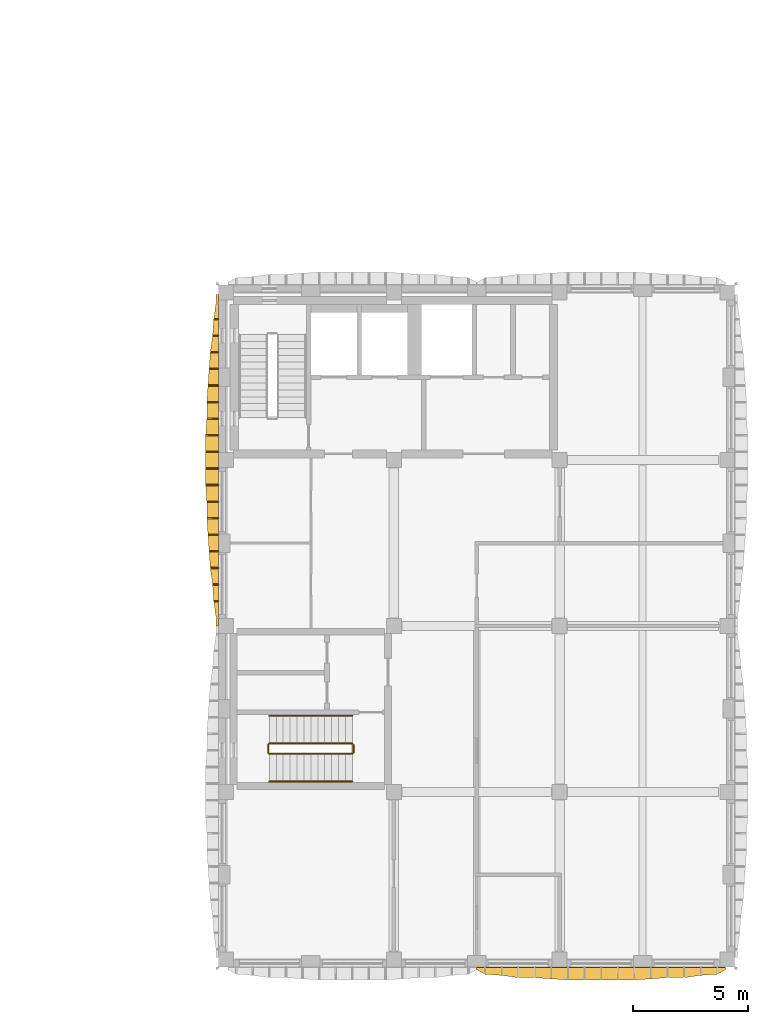
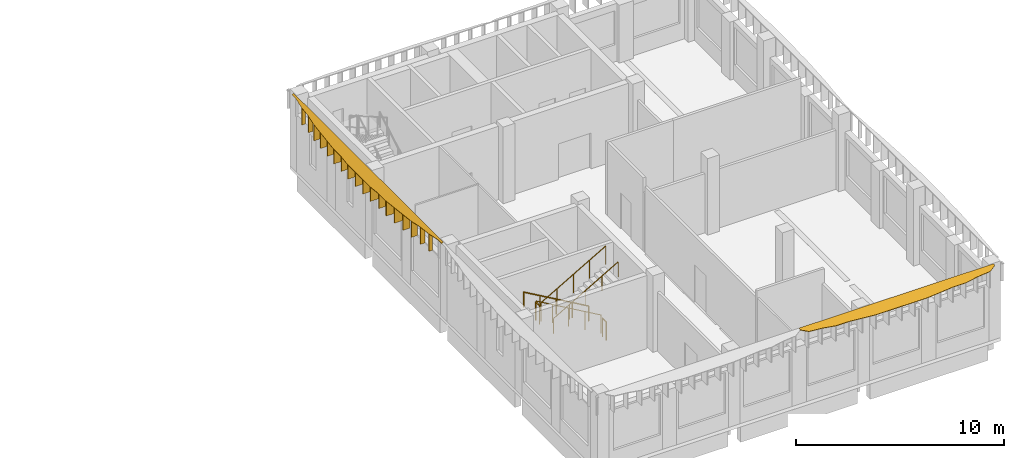
# One storey, part 24 of 30: 20 shading devices, 6 railings.
"""IFC4 building model written with IfcOpenShell, lengths in metres."""

from ifc_helpers import new_model, si_unit, direction, frame, origin, origin_2d, place, context, subcontext, project, spatial, polyline, circle, outline, extrude, material, layer, layer_set, type_object, element, save


model = new_model("IFC4")

# Units and contexts
model_context = context("Model", 3, precision=1e-05, world=origin(), true_north=direction((0.0, 1.0)))
body_context = subcontext(model_context, "Body", "Model", "MODEL_VIEW")
ifc_project = project(units=[si_unit("LENGTHUNIT", "METRE"), si_unit("AREAUNIT", "SQUARE_METRE"), si_unit("VOLUMEUNIT", "CUBIC_METRE"), si_unit("PLANEANGLEUNIT", "RADIAN"), si_unit("MASSUNIT", "GRAM", prefix="KILO")], contexts=[model_context])

# Site, building, storey
site_placement = place(None, origin())
site = spatial("IfcSite", under=ifc_project, at=site_placement, CompositionType="ELEMENT")
building_placement = place(site_placement, origin())
building = spatial("IfcBuilding", under=site, at=building_placement, Name="Ussher Court Research Institute", CompositionType="ELEMENT")
storey_placement = place(building_placement, frame((0.0, 0.0, 27.89990234375)))
storey = spatial("IfcBuildingStorey", under=building, at=storey_placement, Name="L06", CompositionType="ELEMENT", Elevation=27.89990234375)

# Shading devices
ifc_material_1 = material(Name="Bronze anodised aluminium", Category="aluminium")
ifc_layer_1 = layer(ifc_material_1, 0.050048828125)
ifc_layer_set_1 = layer_set([ifc_layer_1], Name="Bronze anodised aluminium")
shading_device_type_1 = type_object("IfcShadingDeviceType", Name="Brim blade 200 mm deep 1100 mm high canted 26 deg wet", PredefinedType="USERDEFINED", material=ifc_layer_set_1)
for number, where, z_axis, x_axis, name in (
    (1, (81.800048828125, 19.47998046875, 3.35009765625), (0.0, 0.0, 1.0), (-1.0, 0.0, 0.0), "Brim blade BS08 L06"),
    (2, (81.800048828125, 31.719970703125, 3.35009765625), (0.0, 0.0, 1.0), (-1.0, 0.0, 0.0), "Brim blade BS08 L06"),
):
    element("IfcShadingDevice", number, at=place(storey_placement, frame(where, z_axis=z_axis, x_axis=x_axis)), inside=storey, type_object=shading_device_type_1, Name=name, ObjectType="BLADE", PredefinedType="USERDEFINED", context=body_context, shape_type="SweptSolid", body=[
        extrude(outline(polyline([(0.0, 0.0), (0.199951171875, 0.0), (0.199951171875, 1.00244140625), (0.0, 1.10009765625), (0.0, 0.0)])), frame((0.0, 0.02490234375, 0.0), z_axis=(0.0, -1.0, 0.0), x_axis=(1.0, 0.0, 0.0)), (0.0, 0.0, 1.0), 0.050048828125),
    ])
ifc_material_2 = material(Name="Bronze anodised aluminium", Category="aluminium")
ifc_layer_2 = layer(ifc_material_2, 0.050048828125)
ifc_layer_set_2 = layer_set([ifc_layer_2], Name="Bronze anodised aluminium")
shading_device_type_2 = type_object("IfcShadingDeviceType", Name="Brim blade 250 mm deep 1100 mm high canted 26 deg wet", PredefinedType="USERDEFINED", material=ifc_layer_set_2)
for number, where, z_axis, x_axis, name in (
    (3, (81.800048828125, 20.199951171875, 3.35009765625), (0.0, 0.0, 1.0), (-1.0, 0.0, 0.0), "Brim blade BS07 L06"),
    (4, (81.800048828125, 31.0, 3.35009765625), (0.0, 0.0, 1.0), (-1.0, 0.0, 0.0), "Brim blade BS07 L06"),
):
    element("IfcShadingDevice", number, at=place(storey_placement, frame(where, z_axis=z_axis, x_axis=x_axis)), inside=storey, type_object=shading_device_type_2, Name=name, ObjectType="BLADE", PredefinedType="USERDEFINED", context=body_context, shape_type="SweptSolid", body=[
        extrude(outline(polyline([(0.0, 0.0), (0.25, 0.0), (0.25, 0.97802734375), (0.0, 1.10009765625), (0.0, 0.0)])), frame((0.0, 0.02490234375, 0.0), z_axis=(0.0, -1.0, 0.0), x_axis=(1.0, 0.0, 0.0)), (0.0, 0.0, 1.0), 0.050048828125),
    ])
ifc_material_3 = material(Name="Bronze anodised aluminium", Category="aluminium")
ifc_layer_3 = layer(ifc_material_3, 0.050048828125)
ifc_layer_set_3 = layer_set([ifc_layer_3], Name="Bronze anodised aluminium")
shading_device_type_3 = type_object("IfcShadingDeviceType", Name="Brim blade 350 mm deep 1100 mm high canted 26 deg wet", PredefinedType="USERDEFINED", material=ifc_layer_set_3)
for number, where, z_axis, x_axis, name in (
    (5, (81.800048828125, 20.919921875, 3.35009765625), (0.0, 0.0, 1.0), (-1.0, 0.0, 0.0), "Brim blade BS05 L06"),
    (6, (81.800048828125, 30.280029296875, 3.35009765625), (0.0, 0.0, 1.0), (-1.0, 0.0, 0.0), "Brim blade BS05 L06"),
):
    element("IfcShadingDevice", number, at=place(storey_placement, frame(where, z_axis=z_axis, x_axis=x_axis)), inside=storey, type_object=shading_device_type_3, Name=name, ObjectType="BLADE", PredefinedType="USERDEFINED", context=body_context, shape_type="SweptSolid", body=[
        extrude(outline(polyline([(0.0, 0.0), (0.35009765625, 0.0), (0.35009765625, 0.92919921875), (0.0, 1.10009765625), (0.0, 0.0)])), frame((0.0, 0.02490234375, 0.0), z_axis=(0.0, -1.0, 0.0), x_axis=(1.0, 0.0, 0.0)), (0.0, 0.0, 1.0), 0.050048828125),
    ])
ifc_material_4 = material(Name="Bronze anodised aluminium", Category="aluminium")
ifc_layer_4 = layer(ifc_material_4, 0.050048828125)
ifc_layer_set_4 = layer_set([ifc_layer_4], Name="Bronze anodised aluminium")
shading_device_type_4 = type_object("IfcShadingDeviceType", Name="Brim blade 400 mm deep 1100 mm high canted 26 deg wet", PredefinedType="USERDEFINED", material=ifc_layer_set_4)
for number, where, z_axis, x_axis, name in (
    (7, (81.800048828125, 21.639892578125, 3.35009765625), (0.0, 0.0, 1.0), (-1.0, 0.0, 0.0), "Brim blade BS04 L06"),
    (8, (81.800048828125, 29.56005859375, 3.35009765625), (0.0, 0.0, 1.0), (-1.0, 0.0, 0.0), "Brim blade BS04 L06"),
):
    element("IfcShadingDevice", number, at=place(storey_placement, frame(where, z_axis=z_axis, x_axis=x_axis)), inside=storey, type_object=shading_device_type_4, Name=name, ObjectType="BLADE", PredefinedType="USERDEFINED", context=body_context, shape_type="SweptSolid", body=[
        extrude(outline(polyline([(0.0, 0.0), (0.400146484375, 0.0), (0.39990234375, 0.90478515625), (0.0, 1.10009765625), (0.0, 0.0)])), frame((0.0, 0.02490234375, 0.0), z_axis=(0.0, -1.0, 0.0), x_axis=(1.0, 0.0, 0.0)), (0.0, 0.0, 1.0), 0.050048828125),
    ])
ifc_material_5 = material(Name="Bronze anodised aluminium", Category="aluminium")
ifc_layer_5 = layer(ifc_material_5, 0.050048828125)
ifc_layer_set_5 = layer_set([ifc_layer_5], Name="Bronze anodised aluminium")
shading_device_type_5 = type_object("IfcShadingDeviceType", Name="Brim blade 450 mm deep 1100 mm high canted 26 deg wet", PredefinedType="USERDEFINED", material=ifc_layer_set_5)
for number, where, z_axis, x_axis, name in (
    (9, (81.800048828125, 22.360107421875, 3.35009765625), (0.0, 0.0, 1.0), (-1.0, 0.0, 0.0), "Brim blade BS03 L06"),
    (10, (81.800048828125, 28.840087890625, 3.35009765625), (0.0, 0.0, 1.0), (-1.0, 0.0, 0.0), "Brim blade BS03 L06"),
):
    element("IfcShadingDevice", number, at=place(storey_placement, frame(where, z_axis=z_axis, x_axis=x_axis)), inside=storey, type_object=shading_device_type_5, Name=name, ObjectType="BLADE", PredefinedType="USERDEFINED", context=body_context, shape_type="SweptSolid", body=[
        extrude(outline(polyline([(0.0, 0.0), (0.449951171875, 0.0), (0.449951171875, 0.880615234375), (0.0, 1.10009765625), (0.0, 0.0)])), frame((0.0, 0.02490234375, 0.0), z_axis=(0.0, -1.0, 0.0), x_axis=(1.0, 0.0, 0.0)), (0.0, 0.0, 1.0), 0.050048828125),
    ])
ifc_material_6 = material(Name="Bronze anodised aluminium", Category="aluminium")
ifc_layer_6 = layer(ifc_material_6, 0.050048828125)
ifc_layer_set_6 = layer_set([ifc_layer_6], Name="Bronze anodised aluminium")
shading_device_type_6 = type_object("IfcShadingDeviceType", Name="Brim blade 500 mm deep 1100 mm high canted 26 deg wet", PredefinedType="USERDEFINED", material=ifc_layer_set_6)
for number, where, z_axis, x_axis, name in (
    (11, (81.800048828125, 23.080078125, 3.35009765625), (0.0, 0.0, 1.0), (-1.0, 0.0, 0.0), "Brim blade BS02 L06"),
    (12, (81.800048828125, 23.800048828125, 3.35009765625), (0.0, 0.0, 1.0), (-1.0, 0.0, 0.0), "Brim blade BS02 L06"),
    (13, (81.800048828125, 27.39990234375, 3.35009765625), (0.0, 0.0, 1.0), (-1.0, 0.0, 0.0), "Brim blade BS02 L06"),
    (14, (81.800048828125, 28.1201171875, 3.35009765625), (0.0, 0.0, 1.0), (-1.0, 0.0, 0.0), "Brim blade BS02 L06"),
):
    element("IfcShadingDevice", number, at=place(storey_placement, frame(where, z_axis=z_axis, x_axis=x_axis)), inside=storey, type_object=shading_device_type_6, Name=name, ObjectType="BLADE", PredefinedType="USERDEFINED", context=body_context, shape_type="SweptSolid", body=[
        extrude(outline(polyline([(0.0, 0.0), (0.5, 0.0), (0.5, 0.856201171875), (0.0, 1.10009765625), (0.0, 0.0)])), frame((0.0, 0.02490234375, 0.0), z_axis=(0.0, -1.0, 0.0), x_axis=(1.0, 0.0, 0.0)), (0.0, 0.0, 1.0), 0.050048828125),
    ])
ifc_material_7 = material(Name="Bronze anodised aluminium", Category="aluminium")
ifc_layer_7 = layer(ifc_material_7, 0.050048828125)
ifc_layer_set_7 = layer_set([ifc_layer_7], Name="Bronze anodised aluminium")
shading_device_type_7 = type_object("IfcShadingDeviceType", Name="Brim blade 550 mm deep 1100 mm high canted 26 deg wet", PredefinedType="USERDEFINED", material=ifc_layer_set_7)
for number, where, z_axis, x_axis, name in (
    (15, (81.800048828125, 24.52001953125, 3.35009765625), (0.0, 0.0, 1.0), (-1.0, 0.0, 0.0), "Brim blade BS01 L06"),
    (16, (81.800048828125, 25.239990234375, 3.35009765625), (0.0, 0.0, 1.0), (-1.0, 0.0, 0.0), "Brim blade BS01 L06"),
    (17, (81.800048828125, 25.9599609375, 3.35009765625), (0.0, 0.0, 1.0), (-1.0, 0.0, 0.0), "Brim blade BS01 L06"),
    (18, (81.800048828125, 26.679931640625, 3.35009765625), (0.0, 0.0, 1.0), (-1.0, 0.0, 0.0), "Brim blade BS01 L06"),
):
    element("IfcShadingDevice", number, at=place(storey_placement, frame(where, z_axis=z_axis, x_axis=x_axis)), inside=storey, type_object=shading_device_type_7, Name=name, ObjectType="BLADE", PredefinedType="USERDEFINED", context=body_context, shape_type="SweptSolid", body=[
        extrude(outline(polyline([(0.0, 0.0), (0.550048828125, 0.0), (0.550048828125, 0.831787109375), (0.0, 1.10009765625), (0.0, 0.0)])), frame((0.0, 0.02490234375, 0.0), z_axis=(0.0, -1.0, 0.0), x_axis=(1.0, 0.0, 0.0)), (0.0, 0.0, 1.0), 0.050048828125),
    ])
ifc_material_8 = material(Name="Bronze anodised aluminium", Category="aluminium")
ifc_layer_8 = layer(ifc_material_8, 0.0400390625)
ifc_layer_set_8 = layer_set([ifc_layer_8], Name="Bronze anodised aluminium")
shading_device_type_8 = type_object("IfcShadingDeviceType", Name="Brim visor sheet 40 mm canted 26 deg wet", PredefinedType="USERDEFINED", material=ifc_layer_set_8)
shading_device_1_placement = place(storey_placement, frame((103.800048828125, 3.58251953125, 4.486083984375), z_axis=(0.0, -0.438461416816, 0.898750013054), x_axis=(-1.0, 0.0, 0.0)))
element("IfcShadingDevice", 19, at=shading_device_1_placement, inside=storey, type_object=shading_device_type_8, Name="Brim visor sheet BR1 L06", ObjectType="BRIM", PredefinedType="USERDEFINED", context=body_context, shape_type="SweptSolid", body=[
    extrude(outline(polyline([(0.0, 0.0), (10.800048828125, 0.0), (10.800048828125, 0.1113720187292832), (10.43994140625, 0.33389663479794396), (9.719970703125, 0.38958264416258553), (9.0, 0.5006281952576233), (8.280029296875, 0.5006281952576233), (7.56005859375, 0.5563142046222649), (6.840087890625, 0.6120002139869065), (6.1201171875, 0.6120002139869065), (5.400146484375, 0.6120002139869065), (4.679931640625, 0.6120002139869065), (3.9599609375, 0.6120002139869065), (3.239990234375, 0.5563142046222649), (2.52001953125, 0.5006281952576233), (1.800048828125, 0.5006281952576233), (1.080078125, 0.38958264416258553), (0.360107421875, 0.33389663479794396), (0.0, 0.1113720187292832), (0.0, 0.0)])), origin(), (0.0, 0.0, -1.0), 0.0400390625),
])
shading_device_2_placement = place(storey_placement, frame((81.782470703125, 18.39990234375, 4.486083984375), z_axis=(-0.438529184396, 0.0, 0.898716949007), x_axis=(0.0, 1.0, 0.0)))
element("IfcShadingDevice", 20, at=shading_device_2_placement, inside=storey, type_object=shading_device_type_8, Name="Brim visor sheet BR1 L06", ObjectType="BRIM", PredefinedType="USERDEFINED", context=body_context, shape_type="SweptSolid", body=[
    extrude(outline(polyline([(0.0, 0.0), (14.400146484375, 0.0), (14.400146484375, 0.11115260474198813), (14.0400390625, 0.11115260474198813), (13.320068359375, 0.22252462280160495), (12.60009765625, 0.27821063183141337), (11.880126953125, 0.3893632365734015), (11.16015625, 0.4449421828140506), (10.440185546875, 0.5006281918438591), (9.72021484375, 0.5563142008736675), (9.0, 0.5563142008736675), (8.280029296875, 0.6120002099034759), (7.56005859375, 0.6120002099034759), (6.840087890625, 0.6120002099034759), (6.1201171875, 0.6120002099034759), (5.400146484375, 0.5563142008736675), (4.68017578125, 0.5563142008736675), (3.960205078125, 0.5006281918438591), (3.239990234375, 0.4449421828140506), (2.52001953125, 0.3893632365734015), (1.800048828125, 0.27821063183141337), (1.080078125, 0.22252462280160495), (0.360107421875, 0.11115260474198813), (0.0, 0.11115260474198813), (0.0, 0.0)])), origin(), (0.0, 0.0, -1.0), 0.0400390625),
])

# Railings
ifc_material_9 = material(Name="Painted steel balustrade", Category="steel")
railing_type_1 = type_object("IfcRailingType", Name="Stair guard 1100 steel balustrade", PredefinedType="GUARDRAIL", material=ifc_material_9)
railing_1_placement = place(storey_placement, frame((87.60009765625, 13.300048828125, 0.173095703125)))
element("IfcRailing", 21, at=railing_1_placement, inside=storey, type_object=railing_type_1, Name="L06 T2 stair guard 1", PredefinedType="GUARDRAIL", context=body_context, shape_type="SweptSolid", body=[
    extrude(circle(Radius=0.02392578125, at=origin_2d()), frame((0.0, 0.0, 1.076171875), z_axis=(-0.866193409371, 0.0, 0.499708892819), x_axis=(0.0, -1.0, 0.0)), (0.0, 0.0, 1.0), 4.15625),
    extrude(circle(Radius=0.02099609375, at=origin_2d()), origin(), (0.0, 0.0, 1.0), 1.052001953125),
    extrude(circle(Radius=0.02099609375, at=origin_2d()), frame((-0.89990234375, 0.0, 0.519287109375)), (0.0, 0.0, 1.0), 1.052001953125),
    extrude(circle(Radius=0.02099609375, at=origin_2d()), frame((-1.800048828125, 0.0, 1.03857421875)), (0.0, 0.0, 1.0), 1.052001953125),
    extrude(circle(Radius=0.02099609375, at=origin_2d()), frame((-2.7001953125, 0.0, 1.5576171875)), (0.0, 0.0, 1.0), 1.052001953125),
    extrude(circle(Radius=0.02099609375, at=origin_2d()), frame((-3.60009765625, 0.0, 2.076904296875)), (0.0, 0.0, 1.0), 1.052001953125),
])
railing_2_placement = place(storey_placement, frame((83.949951171875, 13.25, 2.25)))
element("IfcRailing", 22, at=railing_2_placement, inside=storey, type_object=railing_type_1, Name="L06 T2 stair guard 2", PredefinedType="GUARDRAIL", context=body_context, shape_type="SweptSolid", body=[
    extrude(circle(Radius=0.02392578125, at=origin_2d()), frame((0.0, 0.0, 1.076171875), z_axis=(0.0, -1.0, 0.0), x_axis=(1.0, 0.0, 0.0)), (0.0, 0.0, 1.0), 0.35009765625),
    extrude(circle(Radius=0.02099609375, at=origin_2d()), origin(), (0.0, 0.0, 1.0), 1.052001953125),
    extrude(circle(Radius=0.02099609375, at=origin_2d()), frame((0.0, -0.35009765625, 0.0)), (0.0, 0.0, 1.0), 1.052001953125),
])
railing_3_placement = place(storey_placement, frame((84.0, 12.85009765625, 2.423095703125)))
element("IfcRailing", 23, at=railing_3_placement, inside=storey, type_object=railing_type_1, Name="L06 T2 stair guard 3", PredefinedType="GUARDRAIL", context=body_context, shape_type="SweptSolid", body=[
    extrude(circle(Radius=0.02392578125, at=origin_2d()), frame((0.0, 0.0, 1.076171875), z_axis=(0.866193409371, 0.0, 0.499708892819), x_axis=(0.0, 1.0, 0.0)), (0.0, 0.0, 1.0), 4.15625),
    extrude(circle(Radius=0.02099609375, at=origin_2d()), origin(), (0.0, 0.0, 1.0), 1.052001953125),
    extrude(circle(Radius=0.02099609375, at=origin_2d()), frame((0.89990234375, 0.0, 0.519287109375)), (0.0, 0.0, 1.0), 1.052001953125),
    extrude(circle(Radius=0.02099609375, at=origin_2d()), frame((1.800048828125, 0.0, 1.03857421875)), (0.0, 0.0, 1.0), 1.052001953125),
    extrude(circle(Radius=0.02099609375, at=origin_2d()), frame((2.7001953125, 0.0, 1.5576171875)), (0.0, 0.0, 1.0), 1.052001953125),
    extrude(circle(Radius=0.02099609375, at=origin_2d()), frame((3.60009765625, 0.0, 2.076904296875)), (0.0, 0.0, 1.0), 1.052001953125),
])
railing_4_placement = place(storey_placement, frame((87.64990234375, 13.25, 0.0)))
element("IfcRailing", 24, at=railing_4_placement, inside=storey, type_object=railing_type_1, Name="L06 T2 stair guard 4", PredefinedType="GUARDRAIL", context=body_context, shape_type="SweptSolid", body=[
    extrude(circle(Radius=0.02392578125, at=origin_2d()), frame((0.0, 0.0, 1.076171875), z_axis=(0.0, -1.0, 0.0), x_axis=(1.0, 0.0, 0.0)), (0.0, 0.0, 1.0), 0.35009765625),
    extrude(circle(Radius=0.02099609375, at=origin_2d()), origin(), (0.0, 0.0, 1.0), 1.052001953125),
    extrude(circle(Radius=0.02099609375, at=origin_2d()), frame((0.0, -0.35009765625, 0.0)), (0.0, 0.0, 1.0), 1.052001953125),
])
ifc_material_10 = material(Name="Painted steel handrail", Category="steel")
railing_type_2 = type_object("IfcRailingType", Name="Stair handrail 900 steel", PredefinedType="HANDRAIL", material=ifc_material_10)
railing_5_placement = place(storey_placement, frame((87.60009765625, 14.5, 0.173095703125)))
element("IfcRailing", 25, at=railing_5_placement, inside=storey, type_object=railing_type_2, Name="L06 T2 stair handrail 1", PredefinedType="HANDRAIL", context=body_context, shape_type="SweptSolid", body=[
    extrude(circle(Radius=0.02392578125, at=origin_2d()), frame((0.0, 0.0, 0.8759765625), z_axis=(-0.866193409371, 0.0, 0.499708892819), x_axis=(0.0, -1.0, 0.0)), (0.0, 0.0, 1.0), 4.15625),
    extrude(circle(Radius=0.02099609375, at=origin_2d()), origin(), (0.0, 0.0, 1.0), 0.851806640625),
    extrude(circle(Radius=0.02099609375, at=origin_2d()), frame((-0.89990234375, 0.0, 0.519287109375)), (0.0, 0.0, 1.0), 0.851806640625),
    extrude(circle(Radius=0.02099609375, at=origin_2d()), frame((-1.800048828125, 0.0, 1.03857421875)), (0.0, 0.0, 1.0), 0.851806640625),
    extrude(circle(Radius=0.02099609375, at=origin_2d()), frame((-2.7001953125, 0.0, 1.5576171875)), (0.0, 0.0, 1.0), 0.851806640625),
    extrude(circle(Radius=0.02099609375, at=origin_2d()), frame((-3.60009765625, 0.0, 2.076904296875)), (0.0, 0.0, 1.0), 0.851806640625),
])
railing_6_placement = place(storey_placement, frame((84.0, 11.64990234375, 2.423095703125)))
element("IfcRailing", 26, at=railing_6_placement, inside=storey, type_object=railing_type_2, Name="L06 T2 stair handrail 2", PredefinedType="HANDRAIL", context=body_context, shape_type="SweptSolid", body=[
    extrude(circle(Radius=0.02392578125, at=origin_2d()), frame((0.0, 0.0, 0.8759765625), z_axis=(0.866193409371, 0.0, 0.499708892819), x_axis=(0.0, 1.0, 0.0)), (0.0, 0.0, 1.0), 4.15625),
    extrude(circle(Radius=0.02099609375, at=origin_2d()), origin(), (0.0, 0.0, 1.0), 0.851806640625),
    extrude(circle(Radius=0.02099609375, at=origin_2d()), frame((0.89990234375, 0.0, 0.519287109375)), (0.0, 0.0, 1.0), 0.851806640625),
    extrude(circle(Radius=0.02099609375, at=origin_2d()), frame((1.800048828125, 0.0, 1.03857421875)), (0.0, 0.0, 1.0), 0.851806640625),
    extrude(circle(Radius=0.02099609375, at=origin_2d()), frame((2.7001953125, 0.0, 1.5576171875)), (0.0, 0.0, 1.0), 0.851806640625),
    extrude(circle(Radius=0.02099609375, at=origin_2d()), frame((3.60009765625, 0.0, 2.076904296875)), (0.0, 0.0, 1.0), 0.851806640625),
])

save(model, "model.ifc")
